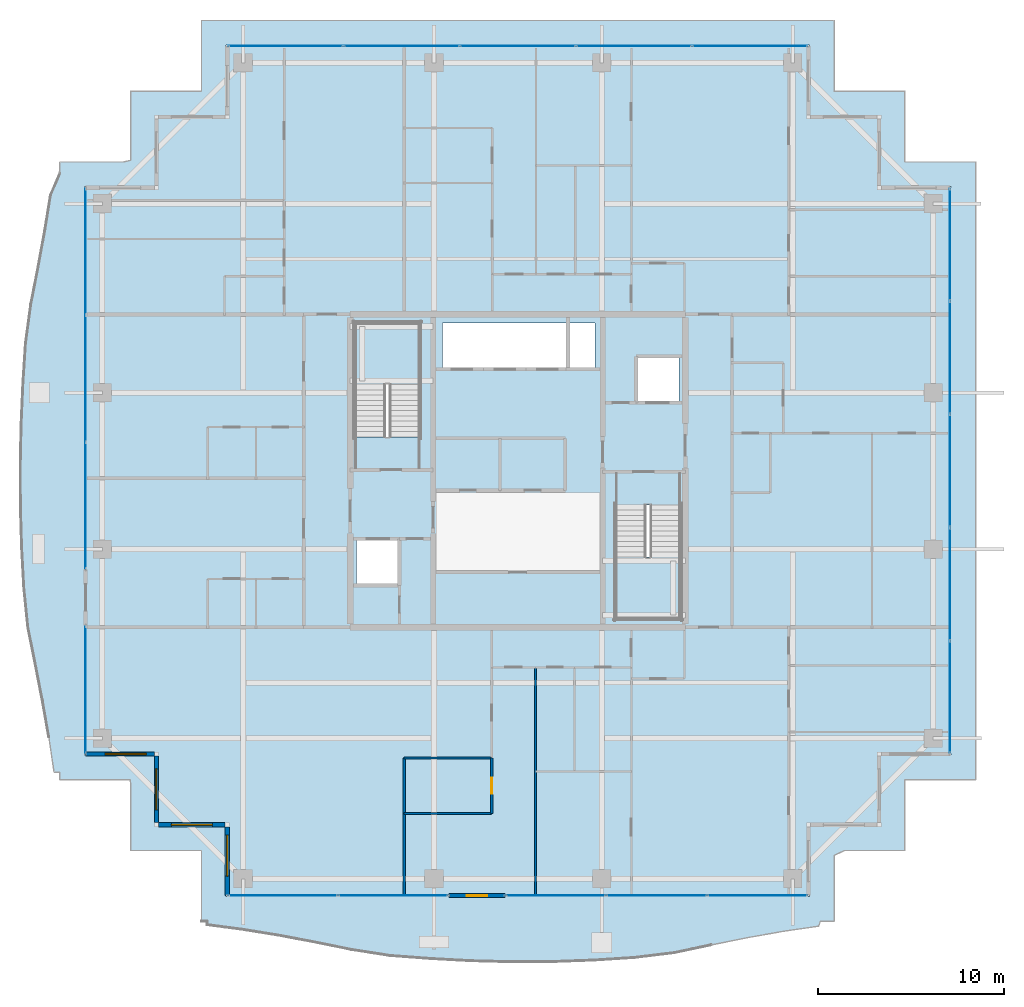
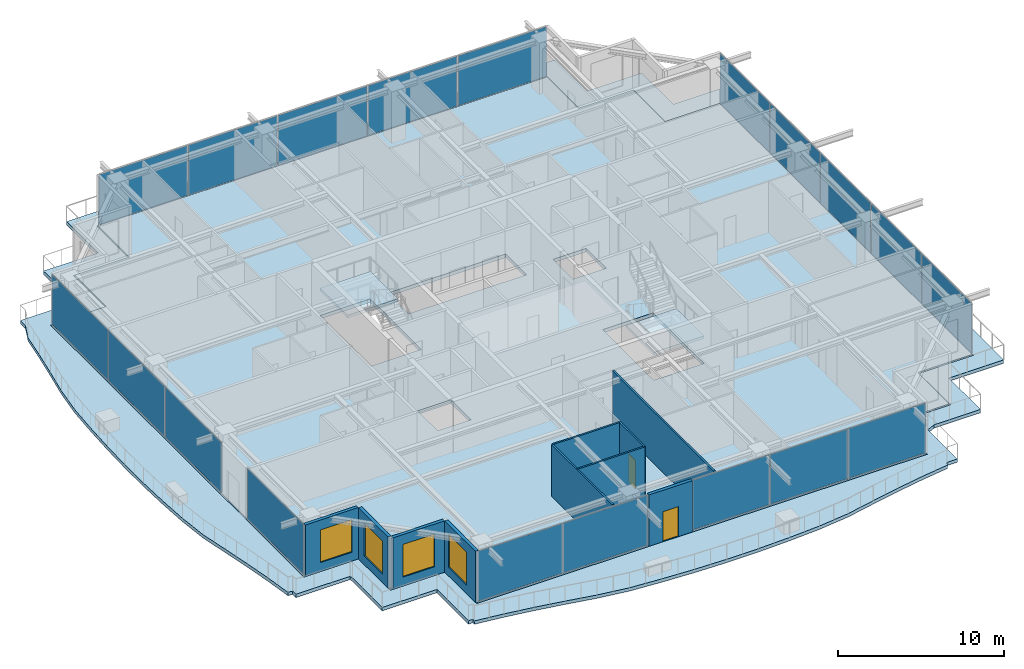
# One storey, part 25 of 37: 19 plates, 10 walls, 4 slabs, 4 windows, 2 doors, 6 openings, 8 elements without a shape of their own.
"""IFC4 building model written with IfcOpenShell, lengths in metres."""

from ifc_helpers import new_model, si_unit, direction, frame, frame_2d, origin, origin_2d, place, context, subcontext, project, spatial, polyline, rectangle, outline, extrude, source, transform, mapped, material, layer, layer_set, type_object, element, fill, aggregate, save


model = new_model("IFC4")

# Units and contexts
model_context = context("Model", 3, precision=1e-05, world=origin(), true_north=direction((0.0, 1.0)))
body_context = subcontext(model_context, "Body", "Model", "MODEL_VIEW")
ifc_project = project(units=[si_unit("LENGTHUNIT", "METRE"), si_unit("AREAUNIT", "SQUARE_METRE"), si_unit("VOLUMEUNIT", "CUBIC_METRE"), si_unit("PLANEANGLEUNIT", "RADIAN"), si_unit("MASSUNIT", "GRAM", prefix="KILO")], contexts=[model_context])

# Site, building, storey
site_placement = place(None, origin())
site = spatial("IfcSite", under=ifc_project, at=site_placement, CompositionType="ELEMENT")
building_placement = place(site_placement, origin())
building = spatial("IfcBuilding", under=site, at=building_placement, Name="Serunith Strait Residences", CompositionType="ELEMENT")
storey_placement = place(building_placement, frame((0.0, 0.0, 305.60009765625)))
storey = spatial("IfcBuildingStorey", under=building, at=storey_placement, Name="L76", CompositionType="ELEMENT", Elevation=305.60009765625)

# Slab
ifc_material_1 = material(Name="Concrete C50/60", Category="concrete")
ifc_layer_1 = layer(ifc_material_1, 0.239990234375, Name="Concrete C50/60")
ifc_layer_set_1 = layer_set([ifc_layer_1], Name="Concrete C50/60")
slab_type_1 = type_object("IfcSlabType", Name="SLB-BALC-240", PredefinedType="FLOOR", material=ifc_layer_set_1)
slab_1_placement = place(storey_placement, frame((0.0, 0.0, -0.2900390625)))
element("IfcSlab", 1, at=slab_1_placement, inside=storey, type_object=slab_type_1, Name="L76 Planted Vertical-Forest Balcony Slab", PredefinedType="FLOOR", context=body_context, shape_type="SweptSolid", body=[
    extrude(outline(polyline([(15.419921875, 1.02001953125), (15.419921875, 4.820068359375), (11.6201171875, 4.820068359375), (11.6201171875, 8.395263671875), (11.585205078125, 8.6201171875), (7.820068359375, 8.6201171875), (7.820068359375, 9.012451171875), (7.502685546875, 9.031005859375), (7.22265625, 10.92919921875), (6.88720703125, 12.846923828125), (6.507080078125, 14.802001953125), (6.106201171875, 16.813232421875), (5.8896484375, 18.934326171875), (5.772705078125, 21.1064453125), (5.7080078125, 23.3017578125), (5.69970703125, 25.5068359375), (5.74609375, 27.70849609375), (5.841796875, 29.8935546875), (5.97900390625, 32.052001953125), (6.2626953125, 34.1376953125), (6.650390625, 36.132568359375), (7.008056640625, 38.078369140625), (7.31787109375, 39.993408203125), (7.820068359375, 41.169921875), (7.820068359375, 41.780029296875), (11.237060546875, 41.780029296875), (11.6201171875, 41.8759765625), (11.6201171875, 45.580078125), (15.401611328125, 45.580078125), (15.419921875, 45.5869140625), (15.419921875, 49.3798828125), (49.3798828125, 49.3798828125), (49.3798828125, 45.580078125), (53.179931640625, 45.580078125), (53.179931640625, 41.780029296875), (56.97998046875, 41.780029296875), (56.97998046875, 8.6201171875), (53.179931640625, 8.6201171875), (53.179931640625, 4.820068359375), (49.94482421875, 4.820068359375), (49.3798828125, 4.55322265625), (49.3798828125, 1.02001953125), (48.63623046875, 1.02001953125), (48.55078125, 0.759521484375), (46.65576171875, 0.48291015625), (44.744384765625, 0.14501953125), (42.79833984375, -0.247314453125), (40.796630859375, -0.6708984375), (38.683837890625, -0.9287109375), (36.509521484375, -1.06982421875), (34.306884765625, -1.150390625), (32.091796875, -1.161865234375), (29.881103515625, -1.1044921875), (27.69091796875, -0.987060546875), (25.53271484375, -0.823486328125), (23.45751953125, -0.5), (21.47216796875, -0.0947265625), (19.533935546875, 0.269775390625), (17.623291015625, 0.578369140625), (15.72509765625, 0.8291015625), (15.7265625, 1.02001953125), (15.419921875, 1.02001953125)]), holes=[polyline([(48.054931640625, 2.344970703125), (48.054931640625, 6.14501953125), (51.85498046875, 6.14501953125), (51.85498046875, 9.945068359375), (55.655029296875, 9.945068359375), (55.655029296875, 40.455078125), (51.85498046875, 40.455078125), (51.85498046875, 44.2548828125), (48.054931640625, 44.2548828125), (48.054931640625, 48.054931640625), (16.7451171875, 48.054931640625), (16.7451171875, 44.2548828125), (12.945068359375, 44.2548828125), (12.945068359375, 40.455078125), (9.14501953125, 40.455078125), (9.14501953125, 9.945068359375), (12.945068359375, 9.945068359375), (12.945068359375, 6.14501953125), (16.7451171875, 6.14501953125), (16.7451171875, 2.344970703125), (48.054931640625, 2.344970703125)])]), origin(), (0.0, 0.0, 1.0), 0.239990234375),
])

# Stair, slab
stair_type_1 = type_object("IfcStairType", Name="STR-CORE-1", PredefinedType="HALF_TURN_STAIR", material=ifc_material_1)
stair_1_placement = place(storey_placement, origin())
stair_1 = element("IfcStair", 2, at=stair_1_placement, inside=storey, type_object=stair_type_1, Name="L76 Protected Escape Stair ST-1", PredefinedType="HALF_TURN_STAIR")
ifc_layer_2 = layer(ifc_material_1, 0.199951171875, Name="Concrete C50/60")
ifc_layer_set_2 = layer_set([ifc_layer_2], Name="Concrete C50/60")
slab_type_2 = type_object("IfcSlabType", Name="SLB-LAND-200", PredefinedType="LANDING", material=ifc_layer_set_2)
slab_2_placement = place(storey_placement, frame((0.0, 0.0, 1.824951171875)))
slab_2 = element("IfcSlab", 3, at=slab_2_placement, type_object=slab_type_2, Name="ST-1 landing 1", PredefinedType="LANDING", context=body_context, shape_type="SweptSolid", body=[
    extrude(outline(polyline([(27.14990234375, 29.830078125), (27.14990234375, 33.14990234375), (23.64990234375, 33.14990234375), (23.64990234375, 29.830078125), (27.14990234375, 29.830078125)])), origin(), (0.0, 0.0, 1.0), 0.199951171875),
])
aggregate(stair_1, [slab_2])

stair_type_2 = type_object("IfcStairType", Name="STR-CORE-2", PredefinedType="HALF_TURN_STAIR", material=ifc_material_1)
stair_2_placement = place(storey_placement, origin())
stair_2 = element("IfcStair", 4, at=stair_2_placement, inside=storey, type_object=stair_type_2, Name="L76 Protected Escape Stair ST-2", PredefinedType="HALF_TURN_STAIR")
slab_3_placement = place(storey_placement, frame((0.0, 0.0, 1.824951171875)))
slab_3 = element("IfcSlab", 5, at=slab_3_placement, type_object=slab_type_2, Name="ST-2 landing 1", PredefinedType="LANDING", context=body_context, shape_type="SweptSolid", body=[
    extrude(outline(polyline([(37.64990234375, 20.570068359375), (37.64990234375, 17.25), (41.14990234375, 17.25), (41.14990234375, 20.570068359375), (37.64990234375, 20.570068359375)])), origin(), (0.0, 0.0, 1.0), 0.199951171875),
])
aggregate(stair_2, [slab_3])

# Slab
ifc_material_2 = material(Name="Concrete C60/75", Category="concrete")
ifc_layer_3 = layer(ifc_material_2, 0.260009765625, Name="Concrete C60/75")
ifc_layer_set_3 = layer_set([ifc_layer_3], Name="Concrete C60/75")
slab_type_3 = type_object("IfcSlabType", Name="SLB-TWR-290-Z4", PredefinedType="FLOOR", material=ifc_layer_set_3)
slab_4_placement = place(storey_placement, frame((0.0, 0.0, -0.260009765625)))
element("IfcSlab", 6, at=slab_4_placement, inside=storey, type_object=slab_type_3, Name="L76 Structural Floor Plate", PredefinedType="FLOOR", context=body_context, shape_type="SweptSolid", body=[
    extrude(outline(polyline([(16.800048828125, 6.199951171875), (13.0, 6.199951171875), (13.0, 10.0), (9.199951171875, 10.0), (9.199951171875, 40.39990234375), (13.0, 40.39990234375), (13.0, 44.199951171875), (16.800048828125, 44.199951171875), (16.800048828125, 48.0), (48.0, 48.0), (48.0, 44.199951171875), (51.800048828125, 44.199951171875), (51.800048828125, 40.39990234375), (55.60009765625, 40.39990234375), (55.60009765625, 10.0), (51.800048828125, 10.0), (51.800048828125, 6.199951171875), (48.0, 6.199951171875), (48.0, 2.39990234375), (16.800048828125, 2.39990234375), (16.800048828125, 6.199951171875)]), holes=[polyline([(41.14990234375, 23.3701171875), (37.64990234375, 23.3701171875), (37.64990234375, 17.25), (41.14990234375, 17.25), (41.14990234375, 23.3701171875)]), polyline([(38.75, 31.25), (38.75, 28.85009765625), (41.050048828125, 28.85009765625), (41.050048828125, 31.25), (38.75, 31.25)]), polyline([(36.550048828125, 33.14990234375), (28.35009765625, 33.14990234375), (28.35009765625, 30.64990234375), (36.550048828125, 30.64990234375), (36.550048828125, 33.14990234375)]), polyline([(23.64990234375, 33.14990234375), (23.64990234375, 27.030029296875), (27.14990234375, 27.030029296875), (27.14990234375, 33.14990234375), (23.64990234375, 33.14990234375)]), polyline([(23.75, 21.550048828125), (23.75, 19.14990234375), (26.050048828125, 19.14990234375), (26.050048828125, 21.550048828125), (23.75, 21.550048828125)])]), origin(), (0.0, 0.0, 1.0), 0.260009765625),
])

# Curtain wall, plates
ifc_material_3 = material(Name="Brushed Stainless-Silver Aluminium", Category="aluminium")
ifc_layer_4 = layer(ifc_material_3, 0.199951171875, Name="Brushed Stainless-Silver Aluminium")
ifc_layer_set_4 = layer_set([ifc_layer_4], Name="Brushed Stainless-Silver Aluminium")
curtain_wall_type = type_object("IfcCurtainWallType", Name="CW-SYS5", PredefinedType="NOTDEFINED", material=ifc_layer_set_4)
curtain_wall_1_placement = place(storey_placement, origin())
curtain_wall_1 = element("IfcCurtainWall", 7, at=curtain_wall_1_placement, inside=storey, type_object=curtain_wall_type, Name="L76 N Unitised Fritted Curtain Wall", PredefinedType="NOTDEFINED")
ifc_material_4 = material(Name="Triple-Silver Low-E Operable Glazing 34mm", Category="glass")
ifc_layer_5 = layer(ifc_material_4, 0.033935546875, Name="Triple-Silver Low-E Operable Glazing 34mm")
ifc_layer_set_5 = layer_set([ifc_layer_5], Name="Triple-Silver Low-E Operable Glazing 34mm")
plate_type = type_object("IfcPlateType", Name="CW-SYS5-PNL", PredefinedType="CURTAIN_PANEL", material=ifc_layer_set_5)
shared_shape_1 = source(origin(), body_context, "Body", "SweptSolid", [
    extrude(rectangle(XDim=6.142578125, YDim=0.033935546875, at=origin_2d()), origin(), (0.0, 0.0, 1.0), 3.655029296875),
])
plate_1_placement = place(storey_placement, frame((44.86376953125, 48.0, 0.06005859375), z_axis=(0.0, 0.0, 1.0), x_axis=(-1.0, 0.0, 0.0)))
plate_1 = element("IfcPlate", 8, at=plate_1_placement, type_object=plate_type, Name="CW-5 panel 1.1", PredefinedType="CURTAIN_PANEL", context=body_context, shape_type="MappedRepresentation", body=[
    mapped(shared_shape_1, transform((0.0, 0.0, 0.0), scale=1.0)),
])
plate_2_placement = place(storey_placement, frame((19.936279296875, 48.0, 0.06005859375), z_axis=(0.0, 0.0, 1.0), x_axis=(-1.0, 0.0, 0.0)))
plate_2 = element("IfcPlate", 9, at=plate_2_placement, type_object=plate_type, Name="CW-5 panel 5.1", PredefinedType="CURTAIN_PANEL", context=body_context, shape_type="MappedRepresentation", body=[
    mapped(shared_shape_1, transform((0.0, 0.0, 0.0), scale=1.0)),
])
shared_shape_2 = source(origin(), body_context, "Body", "SweptSolid", [
    extrude(rectangle(XDim=6.175048828125, YDim=0.033935546875, at=origin_2d()), origin(), (0.0, 0.0, 1.0), 3.655029296875),
])
plate_3_placement = place(storey_placement, frame((38.639892578125, 48.0, 0.06005859375), z_axis=(0.0, 0.0, 1.0), x_axis=(-1.0, 0.0, 0.0)))
plate_3 = element("IfcPlate", 10, at=plate_3_placement, type_object=plate_type, Name="CW-5 panel 2.1", PredefinedType="CURTAIN_PANEL", context=body_context, shape_type="MappedRepresentation", body=[
    mapped(shared_shape_2, transform((0.0, 0.0, 0.0), scale=1.0)),
])
plate_4_placement = place(storey_placement, frame((32.39990234375, 48.0, 0.06005859375), z_axis=(0.0, 0.0, 1.0), x_axis=(-1.0, 0.0, 0.0)))
plate_4 = element("IfcPlate", 11, at=plate_4_placement, type_object=plate_type, Name="CW-5 panel 3.1", PredefinedType="CURTAIN_PANEL", context=body_context, shape_type="MappedRepresentation", body=[
    mapped(shared_shape_2, transform((0.0, 0.0, 0.0), scale=1.0)),
])
plate_5_placement = place(storey_placement, frame((26.159912109375, 48.0, 0.06005859375), z_axis=(0.0, 0.0, 1.0), x_axis=(-1.0, 0.0, 0.0)))
plate_5 = element("IfcPlate", 12, at=plate_5_placement, type_object=plate_type, Name="CW-5 panel 4.1", PredefinedType="CURTAIN_PANEL", context=body_context, shape_type="MappedRepresentation", body=[
    mapped(shared_shape_2, transform((0.0, 0.0, 0.0), scale=1.0)),
])
aggregate(curtain_wall_1, [plate_1, plate_3, plate_4, plate_5, plate_2])

curtain_wall_2_placement = place(storey_placement, origin())
curtain_wall_2 = element("IfcCurtainWall", 13, at=curtain_wall_2_placement, inside=storey, type_object=curtain_wall_type, Name="L76 E Unitised Fritted Curtain Wall", PredefinedType="NOTDEFINED")
shared_shape_3 = source(origin(), body_context, "Body", "SweptSolid", [
    extrude(rectangle(XDim=5.982421875, YDim=0.033935546875, at=origin_2d()), origin(), (0.0, 0.0, 1.0), 3.655029296875),
])
plate_6_placement = place(storey_placement, frame((55.60009765625, 13.05615234375, 0.06005859375), z_axis=(0.0, 0.0, 1.0), x_axis=(0.0, 1.0, 0.0)))
plate_6 = element("IfcPlate", 14, at=plate_6_placement, type_object=plate_type, Name="CW-5 panel 1.1", PredefinedType="CURTAIN_PANEL", context=body_context, shape_type="MappedRepresentation", body=[
    mapped(shared_shape_3, transform((0.0, 0.0, 0.0), scale=1.0)),
])
plate_7_placement = place(storey_placement, frame((55.60009765625, 37.34375, 0.06005859375), z_axis=(0.0, 0.0, 1.0), x_axis=(0.0, 1.0, 0.0)))
plate_7 = element("IfcPlate", 15, at=plate_7_placement, type_object=plate_type, Name="CW-5 panel 5.1", PredefinedType="CURTAIN_PANEL", context=body_context, shape_type="MappedRepresentation", body=[
    mapped(shared_shape_3, transform((0.0, 0.0, 0.0), scale=1.0)),
])
shared_shape_4 = source(origin(), body_context, "Body", "SweptSolid", [
    extrude(rectangle(XDim=6.014892578125, YDim=0.033935546875, at=origin_2d()), origin(), (0.0, 0.0, 1.0), 3.655029296875),
])
plate_8_placement = place(storey_placement, frame((55.60009765625, 19.1201171875, 0.06005859375), z_axis=(0.0, 0.0, 1.0), x_axis=(0.0, 1.0, 0.0)))
plate_8 = element("IfcPlate", 16, at=plate_8_placement, type_object=plate_type, Name="CW-5 panel 2.1", PredefinedType="CURTAIN_PANEL", context=body_context, shape_type="MappedRepresentation", body=[
    mapped(shared_shape_4, transform((0.0, 0.0, 0.0), scale=1.0)),
])
plate_9_placement = place(storey_placement, frame((55.60009765625, 25.199951171875, 0.06005859375), z_axis=(0.0, 0.0, 1.0), x_axis=(0.0, 1.0, 0.0)))
plate_9 = element("IfcPlate", 17, at=plate_9_placement, type_object=plate_type, Name="CW-5 panel 3.1", PredefinedType="CURTAIN_PANEL", context=body_context, shape_type="MappedRepresentation", body=[
    mapped(shared_shape_4, transform((0.0, 0.0, 0.0), scale=1.0)),
])
plate_10_placement = place(storey_placement, frame((55.60009765625, 31.280029296875, 0.06005859375), z_axis=(0.0, 0.0, 1.0), x_axis=(0.0, 1.0, 0.0)))
plate_10 = element("IfcPlate", 18, at=plate_10_placement, type_object=plate_type, Name="CW-5 panel 4.1", PredefinedType="CURTAIN_PANEL", context=body_context, shape_type="MappedRepresentation", body=[
    mapped(shared_shape_4, transform((0.0, 0.0, 0.0), scale=1.0)),
])
aggregate(curtain_wall_2, [plate_6, plate_8, plate_9, plate_10, plate_7])

curtain_wall_3_placement = place(storey_placement, origin())
curtain_wall_3 = element("IfcCurtainWall", 19, at=curtain_wall_3_placement, inside=storey, type_object=curtain_wall_type, Name="L76 S Unitised Fritted Curtain Wall", PredefinedType="NOTDEFINED")
shared_shape_5 = source(origin(), body_context, "Body", "SweptSolid", [
    extrude(rectangle(XDim=5.8525390625, YDim=0.033935546875, at=origin_2d()), origin(), (0.0, 0.0, 1.0), 3.655029296875),
])
plate_11_placement = place(storey_placement, frame((19.791259765625, 2.39990234375, 0.06005859375), z_axis=(0.0, 0.0, 1.0), x_axis=(1.0, 0.0, 0.0)))
plate_11 = element("IfcPlate", 20, at=plate_11_placement, type_object=plate_type, Name="CW-5 panel 1.1", PredefinedType="CURTAIN_PANEL", context=body_context, shape_type="MappedRepresentation", body=[
    mapped(shared_shape_5, transform((0.0, 0.0, 0.0), scale=1.0)),
])
plate_12_placement = place(storey_placement, frame((25.708740234375, 2.39990234375, 0.06005859375), z_axis=(0.0, 0.0, 1.0), x_axis=(1.0, 0.0, 0.0)))
plate_12 = element("IfcPlate", 21, at=plate_12_placement, type_object=plate_type, Name="CW-5 panel 2.1", PredefinedType="CURTAIN_PANEL", context=body_context, shape_type="MappedRepresentation", body=[
    mapped(shared_shape_5, transform((0.0, 0.0, 0.0), scale=1.0)),
])
aggregate(curtain_wall_3, [plate_11, plate_12])

curtain_wall_4_placement = place(storey_placement, origin())
curtain_wall_4 = element("IfcCurtainWall", 22, at=curtain_wall_4_placement, inside=storey, type_object=curtain_wall_type, Name="L76 S Unitised Fritted Curtain Wall", PredefinedType="NOTDEFINED")
shared_shape_6 = source(origin(), body_context, "Body", "SweptSolid", [
    extrude(rectangle(XDim=5.3359375, YDim=0.033935546875, at=origin_2d()), origin(), (0.0, 0.0, 1.0), 3.655029296875),
])
plate_13_placement = place(storey_placement, frame((34.432861328125, 2.39990234375, 0.06005859375), z_axis=(0.0, 0.0, 1.0), x_axis=(1.0, 0.0, 0.0)))
plate_13 = element("IfcPlate", 23, at=plate_13_placement, type_object=plate_type, Name="CW-5 panel 1.1", PredefinedType="CURTAIN_PANEL", context=body_context, shape_type="MappedRepresentation", body=[
    mapped(shared_shape_6, transform((0.0, 0.0, 0.0), scale=1.0)),
])
plate_14_placement = place(storey_placement, frame((45.26708984375, 2.39990234375, 0.06005859375), z_axis=(0.0, 0.0, 1.0), x_axis=(1.0, 0.0, 0.0)))
plate_14 = element("IfcPlate", 24, at=plate_14_placement, type_object=plate_type, Name="CW-5 panel 3.1", PredefinedType="CURTAIN_PANEL", context=body_context, shape_type="MappedRepresentation", body=[
    mapped(shared_shape_6, transform((0.0, 0.0, 0.0), scale=1.0)),
])
shared_shape_7 = source(origin(), body_context, "Body", "SweptSolid", [
    extrude(rectangle(XDim=5.368408203125, YDim=0.033935546875, at=origin_2d()), origin(), (0.0, 0.0, 1.0), 3.655029296875),
])
plate_15_placement = place(storey_placement, frame((39.85009765625, 2.39990234375, 0.06005859375), z_axis=(0.0, 0.0, 1.0), x_axis=(1.0, 0.0, 0.0)))
plate_15 = element("IfcPlate", 25, at=plate_15_placement, type_object=plate_type, Name="CW-5 panel 2.1", PredefinedType="CURTAIN_PANEL", context=body_context, shape_type="MappedRepresentation", body=[
    mapped(shared_shape_7, transform((0.0, 0.0, 0.0), scale=1.0)),
])
aggregate(curtain_wall_4, [plate_13, plate_15, plate_14])

curtain_wall_5_placement = place(storey_placement, origin())
curtain_wall_5 = element("IfcCurtainWall", 26, at=curtain_wall_5_placement, inside=storey, type_object=curtain_wall_type, Name="L76 W Unitised Fritted Curtain Wall", PredefinedType="NOTDEFINED")
shared_shape_8 = source(origin(), body_context, "Body", "SweptSolid", [
    extrude(rectangle(XDim=6.73583984375, YDim=0.033935546875, at=origin_2d()), origin(), (0.0, 0.0, 1.0), 3.655029296875),
])
plate_16_placement = place(storey_placement, frame((9.199951171875, 36.967041015625, 0.06005859375), z_axis=(0.0, 0.0, 1.0), x_axis=(0.0, -1.0, 0.0)))
plate_16 = element("IfcPlate", 27, at=plate_16_placement, type_object=plate_type, Name="CW-5 panel 1.1", PredefinedType="CURTAIN_PANEL", context=body_context, shape_type="MappedRepresentation", body=[
    mapped(shared_shape_8, transform((0.0, 0.0, 0.0), scale=1.0)),
])
plate_17_placement = place(storey_placement, frame((9.199951171875, 23.3330078125, 0.06005859375), z_axis=(0.0, 0.0, 1.0), x_axis=(0.0, -1.0, 0.0)))
plate_17 = element("IfcPlate", 28, at=plate_17_placement, type_object=plate_type, Name="CW-5 panel 3.1", PredefinedType="CURTAIN_PANEL", context=body_context, shape_type="MappedRepresentation", body=[
    mapped(shared_shape_8, transform((0.0, 0.0, 0.0), scale=1.0)),
])
shared_shape_9 = source(origin(), body_context, "Body", "SweptSolid", [
    extrude(rectangle(XDim=6.768310546875, YDim=0.033935546875, at=origin_2d()), origin(), (0.0, 0.0, 1.0), 3.655029296875),
])
plate_18_placement = place(storey_placement, frame((9.199951171875, 30.14990234375, 0.06005859375), z_axis=(0.0, 0.0, 1.0), x_axis=(0.0, -1.0, 0.0)))
plate_18 = element("IfcPlate", 29, at=plate_18_placement, type_object=plate_type, Name="CW-5 panel 2.1", PredefinedType="CURTAIN_PANEL", context=body_context, shape_type="MappedRepresentation", body=[
    mapped(shared_shape_9, transform((0.0, 0.0, 0.0), scale=1.0)),
])
aggregate(curtain_wall_5, [plate_16, plate_18, plate_17])

# Curtain wall, plate
curtain_wall_6_placement = place(storey_placement, origin())
curtain_wall_6 = element("IfcCurtainWall", 30, at=curtain_wall_6_placement, inside=storey, type_object=curtain_wall_type, Name="L76 W Unitised Fritted Curtain Wall", PredefinedType="NOTDEFINED")
shared_shape_10 = source(origin(), body_context, "Body", "SweptSolid", [
    extrude(rectangle(XDim=6.77001953125, YDim=0.033935546875, at=origin_2d()), origin(), (0.0, 0.0, 1.0), 3.655029296875),
])
plate_19_placement = place(storey_placement, frame((9.199951171875, 13.449951171875, 0.06005859375), z_axis=(0.0, 0.0, 1.0), x_axis=(0.0, -1.0, 0.0)))
plate_19 = element("IfcPlate", 31, at=plate_19_placement, type_object=plate_type, Name="CW-5 panel 1.1", PredefinedType="CURTAIN_PANEL", context=body_context, shape_type="MappedRepresentation", body=[
    mapped(shared_shape_10, transform((0.0, 0.0, 0.0), scale=1.0)),
])
aggregate(curtain_wall_6, [plate_19])

# Wall, opening, door
ifc_material_5 = material(Name="Pale-Champagne Aluminium Insulated Panel", Category="aluminium")
ifc_layer_6 = layer(ifc_material_5, 0.219970703125, Name="Pale-Champagne Aluminium Insulated Panel")
ifc_layer_set_6 = layer_set([ifc_layer_6], Name="Pale-Champagne Aluminium Insulated Panel")
wall_type_1 = type_object("IfcWallType", Name="EW-ALUM-220", PredefinedType="ELEMENTEDWALL", material=ifc_layer_set_6)
wall_1_placement = place(storey_placement, frame((28.699951171875, 2.39990234375, 0.0), z_axis=(0.0, 0.0, 1.0), x_axis=(1.0, 0.0, 0.0)))
wall_1 = element("IfcWall", 32, at=wall_1_placement, inside=storey, type_object=wall_type_1, Name="L76 S Facade Pier Wall", PredefinedType="ELEMENTEDWALL", context=body_context, shape_type="SweptSolid", body=[
    extrude(rectangle(XDim=3.0, YDim=0.219970703125, at=frame_2d((1.5, 0.0))), origin(), (0.0, 0.0, 1.0), 3.77490234375),
])
opening_1_placement = place(wall_1_placement, frame((0.949951171875, 0.0, 0.0)))
opening_1 = element("IfcOpeningElement", 33, at=opening_1_placement, cuts=wall_1, Name="Opening ED-03", PredefinedType="OPENING", context=body_context, shape_type="SweptSolid", body=[
    extrude(rectangle(XDim=1.10009765625, YDim=2.199951171875, at=frame_2d((0.550048828125, 1.10009765625))), frame((0.0, 0.1201171875, 0.0), z_axis=(0.0, -1.0, 0.0), x_axis=(1.0, 0.0, 0.0)), (0.0, 0.0, 1.0), 0.239990234375),
])
ifc_material_6 = material(Name="Thermally-Broken Aluminium Glazed Balcony Door", Category="aluminium")
door_type_1 = type_object("IfcDoorType", Name="ED-BALC-1100", OperationType="NOTDEFINED", PredefinedType="DOOR", material=ifc_material_6)
shared_shape_11 = source(origin(), body_context, "Body", "SweptSolid", [
    extrude(rectangle(XDim=1.10009765625, YDim=2.199951171875, at=frame_2d((0.550048828125, 1.10009765625))), frame((0.0, 0.02490234375, 0.0), z_axis=(0.0, -1.0, 0.0), x_axis=(1.0, 0.0, 0.0)), (0.0, 0.0, 1.0), 0.050048828125),
])
door_1_placement = place(opening_1_placement, origin())
door_1 = element("IfcDoor", 34, at=door_1_placement, inside=storey, type_object=door_type_1, Name="L76 S Vertical-Forest Balcony Door", OperationType="SINGLE_SWING_LEFT", OverallHeight=2.199951171875, OverallWidth=1.10009765625, PredefinedType="DOOR", context=body_context, shape_type="MappedRepresentation", body=[
    mapped(shared_shape_11, transform((0.0, 0.0, 0.0), scale=1.0)),
])
fill(opening_1, door_1)

# Wall, opening, window
wall_2_placement = place(storey_placement, frame((9.199951171875, 10.0, 0.0), z_axis=(0.0, 0.0, 1.0), x_axis=(1.0, 0.0, 0.0)))
wall_2 = element("IfcWall", 35, at=wall_2_placement, inside=storey, type_object=wall_type_1, Name="L76 Girih Serrated Corner Wall 17", PredefinedType="ELEMENTEDWALL", context=body_context, shape_type="SweptSolid", body=[
    extrude(rectangle(XDim=3.68994140625, YDim=0.219970703125, at=frame_2d((1.844970703125, 0.0))), origin(), (0.0, 0.0, 1.0), 3.77490234375),
])
opening_2_placement = place(wall_2_placement, frame((1.04296875, 0.0, 0.64990234375)))
opening_2 = element("IfcOpeningElement", 36, at=opening_2_placement, cuts=wall_2, Name="Opening W-06", PredefinedType="OPENING", context=body_context, shape_type="SweptSolid", body=[
    extrude(rectangle(XDim=2.199951171875, YDim=2.39990234375, at=frame_2d((1.10009765625, 1.199951171875))), frame((0.0, 0.1201171875, 0.0), z_axis=(0.0, -1.0, 0.0), x_axis=(1.0, 0.0, 0.0)), (0.0, 0.0, 1.0), 0.239990234375),
])
ifc_material_7 = material(Name="Crown Penthouse Low-E Operable Window Glass", Category="glass")
window_type = type_object("IfcWindowType", Name="WIN-C6", PartitioningType="TRIPLE_PANEL_VERTICAL", PredefinedType="WINDOW", material=ifc_material_7)
shared_shape_12 = source(origin(), body_context, "Body", "SweptSolid", [
    extrude(rectangle(XDim=2.199951171875, YDim=2.39990234375, at=frame_2d((1.10009765625, 1.199951171875))), frame((0.0, 0.030029296875, 0.0), z_axis=(0.0, -1.0, 0.0), x_axis=(1.0, 0.0, 0.0)), (0.0, 0.0, 1.0), 0.06005859375),
])
window_1_placement = place(opening_2_placement, origin())
window_1 = element("IfcWindow", 37, at=window_1_placement, inside=storey, type_object=window_type, Name="L76 Corner Operable Fritted Window 17", OverallHeight=2.39990234375, OverallWidth=2.199951171875, PartitioningType="SINGLE_PANEL", PredefinedType="WINDOW", context=body_context, shape_type="MappedRepresentation", body=[
    mapped(shared_shape_12, transform((0.0, 0.0, 0.0), scale=1.0)),
])
fill(opening_2, window_1)

wall_3_placement = place(storey_placement, frame((13.0, 9.889892578125, 0.0), z_axis=(0.0, 0.0, 1.0), x_axis=(0.0, -1.0, 0.0)))
wall_3 = element("IfcWall", 38, at=wall_3_placement, inside=storey, type_object=wall_type_1, Name="L76 Girih Serrated Corner Wall 18", PredefinedType="ELEMENTEDWALL", context=body_context, shape_type="SweptSolid", body=[
    extrude(rectangle(XDim=3.579833984375, YDim=0.219970703125, at=frame_2d((1.7900390625, 0.0))), origin(), (0.0, 0.0, 1.0), 3.77490234375),
])
opening_3_placement = place(wall_3_placement, frame((0.68994140625, 0.0, 0.64990234375)))
opening_3 = element("IfcOpeningElement", 39, at=opening_3_placement, cuts=wall_3, Name="Opening W-06", PredefinedType="OPENING", context=body_context, shape_type="SweptSolid", body=[
    extrude(rectangle(XDim=2.199951171875, YDim=2.39990234375, at=frame_2d((1.10009765625, 1.199951171875))), frame((0.0, 0.1201171875, 0.0), z_axis=(0.0, -1.0, 0.0), x_axis=(1.0, 0.0, 0.0)), (0.0, 0.0, 1.0), 0.239990234375),
])
window_2_placement = place(opening_3_placement, origin())
window_2 = element("IfcWindow", 40, at=window_2_placement, inside=storey, type_object=window_type, Name="L76 Corner Operable Fritted Window 18", OverallHeight=2.39990234375, OverallWidth=2.199951171875, PartitioningType="SINGLE_PANEL", PredefinedType="WINDOW", context=body_context, shape_type="MappedRepresentation", body=[
    mapped(shared_shape_12, transform((0.0, 0.0, 0.0), scale=1.0)),
])
fill(opening_3, window_2)

wall_4_placement = place(storey_placement, frame((13.110107421875, 6.199951171875, 0.0), z_axis=(0.0, 0.0, 1.0), x_axis=(1.0, 0.0, 0.0)))
wall_4 = element("IfcWall", 41, at=wall_4_placement, inside=storey, type_object=wall_type_1, Name="L76 Girih Serrated Corner Wall 19", PredefinedType="ELEMENTEDWALL", context=body_context, shape_type="SweptSolid", body=[
    extrude(rectangle(XDim=3.579833984375, YDim=0.219970703125, at=frame_2d((1.7900390625, 0.0))), origin(), (0.0, 0.0, 1.0), 3.77490234375),
])
opening_4_placement = place(wall_4_placement, frame((0.68994140625, 0.0, 0.64990234375)))
opening_4 = element("IfcOpeningElement", 42, at=opening_4_placement, cuts=wall_4, Name="Opening W-06", PredefinedType="OPENING", context=body_context, shape_type="SweptSolid", body=[
    extrude(rectangle(XDim=2.199951171875, YDim=2.39990234375, at=frame_2d((1.10009765625, 1.199951171875))), frame((0.0, 0.1201171875, 0.0), z_axis=(0.0, -1.0, 0.0), x_axis=(1.0, 0.0, 0.0)), (0.0, 0.0, 1.0), 0.239990234375),
])
window_3_placement = place(opening_4_placement, origin())
window_3 = element("IfcWindow", 43, at=window_3_placement, inside=storey, type_object=window_type, Name="L76 Corner Operable Fritted Window 19", OverallHeight=2.39990234375, OverallWidth=2.199951171875, PartitioningType="SINGLE_PANEL", PredefinedType="WINDOW", context=body_context, shape_type="MappedRepresentation", body=[
    mapped(shared_shape_12, transform((0.0, 0.0, 0.0), scale=1.0)),
])
fill(opening_4, window_3)

wall_5_placement = place(storey_placement, frame((16.800048828125, 6.090087890625, 0.0), z_axis=(0.0, 0.0, 1.0), x_axis=(0.0, -1.0, 0.0)))
wall_5 = element("IfcWall", 44, at=wall_5_placement, inside=storey, type_object=wall_type_1, Name="L76 Girih Serrated Corner Wall 20", PredefinedType="ELEMENTEDWALL", context=body_context, shape_type="SweptSolid", body=[
    extrude(rectangle(XDim=3.690185546875, YDim=0.219970703125, at=frame_2d((1.84521484375, 0.0))), origin(), (0.0, 0.0, 1.0), 3.77490234375),
])
opening_5_placement = place(wall_5_placement, frame((0.447021484375, 0.0, 0.64990234375)))
opening_5 = element("IfcOpeningElement", 45, at=opening_5_placement, cuts=wall_5, Name="Opening W-06", PredefinedType="OPENING", context=body_context, shape_type="SweptSolid", body=[
    extrude(rectangle(XDim=2.199951171875, YDim=2.39990234375, at=frame_2d((1.10009765625, 1.199951171875))), frame((0.0, 0.1201171875, 0.0), z_axis=(0.0, -1.0, 0.0), x_axis=(1.0, 0.0, 0.0)), (0.0, 0.0, 1.0), 0.239990234375),
])
window_4_placement = place(opening_5_placement, origin())
window_4 = element("IfcWindow", 46, at=window_4_placement, inside=storey, type_object=window_type, Name="L76 Corner Operable Fritted Window 20", OverallHeight=2.39990234375, OverallWidth=2.199951171875, PartitioningType="SINGLE_PANEL", PredefinedType="WINDOW", context=body_context, shape_type="MappedRepresentation", body=[
    mapped(shared_shape_12, transform((0.0, 0.0, 0.0), scale=1.0)),
])
fill(opening_5, window_4)

# Walls
ifc_material_8 = material(Name="Lightweight steel-stud gypsum partition", Category="steel")
ifc_layer_7 = layer(ifc_material_8, 0.1201171875, Name="Lightweight steel-stud gypsum partition")
ifc_layer_set_7 = layer_set([ifc_layer_7], Name="Lightweight steel-stud gypsum partition")
wall_type_2 = type_object("IfcWallType", Name="IW-PART-120", PredefinedType="PARTITIONING", material=ifc_layer_set_7)
wall_6_placement = place(storey_placement, frame((33.35009765625, 2.4951171875, 0.0), z_axis=(0.0, 0.0, 1.0), x_axis=(0.0, 1.0, 0.0)))
element("IfcWall", 47, at=wall_6_placement, inside=storey, type_object=wall_type_2, Name="L76 Partition Wall 036", PredefinedType="PARTITIONING", context=body_context, shape_type="SweptSolid", body=[
    extrude(rectangle(XDim=12.15478515625, YDim=0.1201171875, at=frame_2d((6.077392578125, 0.0))), origin(), (0.0, 0.0, 1.0), 3.789794921875),
])
wall_7_placement = place(storey_placement, frame((26.300048828125, 6.81201171875, 0.0), z_axis=(0.0, 0.0, 1.0), x_axis=(1.0, 0.0, 0.0)))
element("IfcWall", 48, at=wall_7_placement, inside=storey, type_object=wall_type_2, Name="L76 Partition Wall 041", PredefinedType="PARTITIONING", context=body_context, shape_type="SweptSolid", body=[
    extrude(rectangle(XDim=4.699951171875, YDim=0.1201171875, at=frame_2d((2.35009765625, 0.0))), origin(), (0.0, 0.0, 1.0), 3.789794921875),
])
wall_8_placement = place(storey_placement, frame((26.300048828125, 2.4951171875, 0.0), z_axis=(0.0, 0.0, 1.0), x_axis=(0.0, 1.0, 0.0)))
element("IfcWall", 49, at=wall_8_placement, inside=storey, type_object=wall_type_2, Name="L76 Partition Wall 042", PredefinedType="PARTITIONING", context=body_context, shape_type="SweptSolid", body=[
    extrude(rectangle(XDim=7.2958984375, YDim=0.1201171875, at=frame_2d((3.64794921875, 0.0))), origin(), (0.0, 0.0, 1.0), 3.789794921875),
])
wall_9_placement = place(storey_placement, frame((26.300048828125, 9.791015625, 0.0), z_axis=(0.0, 0.0, 1.0), x_axis=(1.0, 0.0, 0.0)))
element("IfcWall", 50, at=wall_9_placement, inside=storey, type_object=wall_type_2, Name="L76 Partition Wall 043", PredefinedType="PARTITIONING", context=body_context, shape_type="SweptSolid", body=[
    extrude(rectangle(XDim=4.699951171875, YDim=0.1201171875, at=frame_2d((2.35009765625, 0.0))), origin(), (0.0, 0.0, 1.0), 3.789794921875),
])

# Wall, opening, door
wall_10_placement = place(storey_placement, frame((31.0, 6.81201171875, 0.0), z_axis=(0.0, 0.0, 1.0), x_axis=(0.0, 1.0, 0.0)))
wall_10 = element("IfcWall", 51, at=wall_10_placement, inside=storey, type_object=wall_type_2, Name="L76 Partition Wall 044", PredefinedType="PARTITIONING", context=body_context, shape_type="SweptSolid", body=[
    extrude(rectangle(XDim=2.97900390625, YDim=0.1201171875, at=frame_2d((1.489501953125, 0.0))), origin(), (0.0, 0.0, 1.0), 3.789794921875),
])
opening_6_placement = place(wall_10_placement, frame((1.06494140625, 0.0, 0.0)))
opening_6 = element("IfcOpeningElement", 52, at=opening_6_placement, cuts=wall_10, Name="Opening D-BTH850", PredefinedType="OPENING", context=body_context, shape_type="SweptSolid", body=[
    extrude(rectangle(XDim=0.85009765625, YDim=2.10009765625, at=frame_2d((0.425048828125, 1.050048828125))), frame((0.0, 0.070068359375, 0.0), z_axis=(0.0, -1.0, 0.0), x_axis=(1.0, 0.0, 0.0)), (0.0, 0.0, 1.0), 0.14013671875),
])
ifc_material_9 = material(Name="Moisture-resistant timber bathroom door", Category="wood")
door_type_2 = type_object("IfcDoorType", Name="ID-BATH-850", OperationType="NOTDEFINED", PredefinedType="DOOR", material=ifc_material_9)
shared_shape_13 = source(origin(), body_context, "Body", "SweptSolid", [
    extrude(rectangle(XDim=0.85009765625, YDim=2.10009765625, at=frame_2d((0.425048828125, 1.050048828125))), frame((0.0, 0.02490234375, 0.0), z_axis=(0.0, -1.0, 0.0), x_axis=(1.0, 0.0, 0.0)), (0.0, 0.0, 1.0), 0.050048828125),
])
door_2_placement = place(opening_6_placement, origin())
door_2 = element("IfcDoor", 53, at=door_2_placement, inside=storey, type_object=door_type_2, Name="L76 En-suite Bathroom W 7601 Door", OperationType="SINGLE_SWING_RIGHT", OverallHeight=2.10009765625, OverallWidth=0.85009765625, PredefinedType="DOOR", context=body_context, shape_type="MappedRepresentation", body=[
    mapped(shared_shape_13, transform((0.0, 0.0, 0.0), scale=1.0)),
])
fill(opening_6, door_2)

save(model, "model.ifc")
